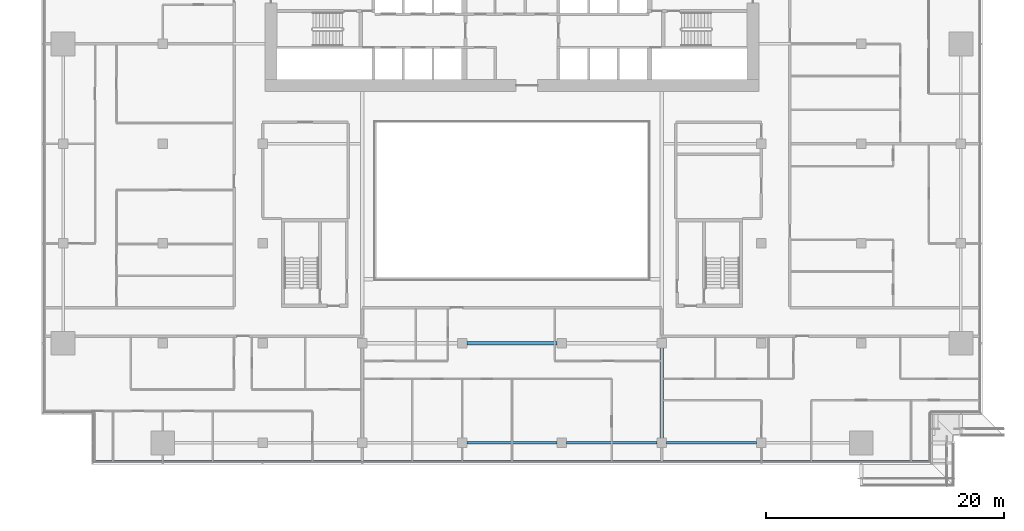
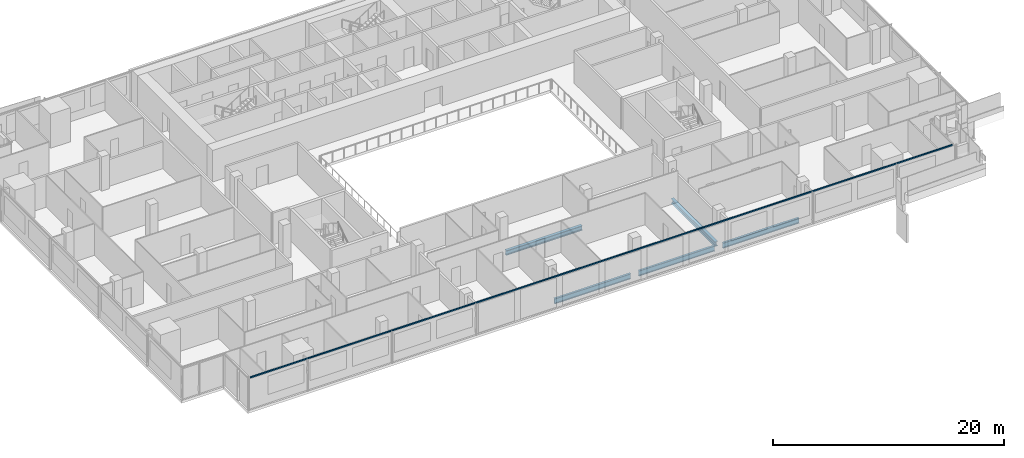
# One storey, part 7 of 30: 5 beams, 1 member, 1 element without a shape of its own.
"""IFC4 building model written with IfcOpenShell, lengths in metres."""

from ifc_helpers import new_model, si_unit, direction, frame, origin, origin_2d, place, context, subcontext, project, spatial, rectangle, i_section, extrude, material, material_profile, profile_set, type_object, element, aggregate, save


model = new_model("IFC4")

# Units and contexts
model_context = context("Model", 3, precision=1e-05, world=origin(), true_north=direction((0.0, 1.0)))
body_context = subcontext(model_context, "Body", "Model", "MODEL_VIEW")
ifc_project = project(units=[si_unit("LENGTHUNIT", "METRE"), si_unit("AREAUNIT", "SQUARE_METRE"), si_unit("VOLUMEUNIT", "CUBIC_METRE"), si_unit("PLANEANGLEUNIT", "RADIAN"), si_unit("MASSUNIT", "GRAM", prefix="KILO")], contexts=[model_context])

# Site, building, storey
site_placement = place(None, origin())
site = spatial("IfcSite", under=ifc_project, at=site_placement, CompositionType="ELEMENT")
building_placement = place(site_placement, origin())
building = spatial("IfcBuilding", under=site, at=building_placement, Name="Saffron Gate Tower", CompositionType="ELEMENT")
storey_placement = place(building_placement, frame((0.0, 0.0, 127.64990234375)))
storey = spatial("IfcBuildingStorey", under=building, at=storey_placement, Name="L30", CompositionType="ELEMENT", Elevation=127.64990234375)

# Beams
ifc_material_1 = material(Name="Structural steel S355", Category="steel")
ifc_material_profile_1 = material_profile(ifc_material_1, i_section(OverallWidth=0.2099609375, OverallDepth=0.550048828125, WebThickness=0.010986328125, FlangeThickness=0.01708984375, FilletRadius=0.02392578125, at=origin_2d()))
ifc_profile_set_1 = profile_set([ifc_material_profile_1], Name="Structural steel S355")
beam_type_1 = type_object("IfcBeamType", Name="B13 IPE 550", PredefinedType="SPANDREL", material=ifc_profile_set_1)
beam_1_placement = place(storey_placement, frame((83.800048828125, 31.800048828125, -0.554931640625), z_axis=(1.0, 0.0, 0.0), x_axis=(0.0, 1.0, 0.0)))
element("IfcBeam", 1, at=beam_1_placement, inside=storey, type_object=beam_type_1, Name="B13 SPANDREL BEAM", PredefinedType="SPANDREL", context=body_context, shape_type="SweptSolid", body=[
    extrude(i_section(OverallWidth=0.2099609375, OverallDepth=0.550048828125, WebThickness=0.010986328125, FlangeThickness=0.01708984375, FilletRadius=0.02392578125, at=origin_2d()), origin(), (0.0, 0.0, 1.0), 7.599853515625),
])
beam_2_placement = place(storey_placement, frame((92.199951171875, 31.800048828125, -0.554931640625), z_axis=(1.0, 0.0, 0.0), x_axis=(0.0, 1.0, 0.0)))
element("IfcBeam", 2, at=beam_2_placement, inside=storey, type_object=beam_type_1, Name="B13 SPANDREL BEAM", PredefinedType="SPANDREL", context=body_context, shape_type="SweptSolid", body=[
    extrude(i_section(OverallWidth=0.2099609375, OverallDepth=0.550048828125, WebThickness=0.010986328125, FlangeThickness=0.01708984375, FilletRadius=0.02392578125, at=origin_2d()), origin(), (0.0, 0.0, 1.0), 7.60009765625),
])
beam_3_placement = place(storey_placement, frame((100.60009765625, 31.800048828125, -0.554931640625), z_axis=(1.0, 0.0, 0.0), x_axis=(0.0, 1.0, 0.0)))
element("IfcBeam", 3, at=beam_3_placement, inside=storey, type_object=beam_type_1, Name="B13 SPANDREL BEAM", PredefinedType="SPANDREL", context=body_context, shape_type="SweptSolid", body=[
    extrude(i_section(OverallWidth=0.2099609375, OverallDepth=0.550048828125, WebThickness=0.010986328125, FlangeThickness=0.01708984375, FilletRadius=0.02392578125, at=origin_2d()), origin(), (0.0, 0.0, 1.0), 7.599853515625),
])
ifc_material_profile_2 = material_profile(ifc_material_1, i_section(OverallWidth=0.300048828125, OverallDepth=0.489990234375, WebThickness=0.011962890625, FlangeThickness=0.02294921875, FilletRadius=0.027099609375, at=origin_2d()))
ifc_profile_set_2 = profile_set([ifc_material_profile_2], Name="Structural steel S355")
beam_type_2 = type_object("IfcBeamType", Name="B8 HEA 500", PredefinedType="BEAM", material=ifc_profile_set_2)
beam_4_placement = place(storey_placement, frame((100.199951171875, 32.199951171875, -0.52490234375), z_axis=(0.0, 1.0, 0.0), x_axis=(-1.0, 0.0, 0.0)))
element("IfcBeam", 4, at=beam_4_placement, inside=storey, type_object=beam_type_2, Name="B8 FLOOR GIRDER", PredefinedType="BEAM", context=body_context, shape_type="SweptSolid", body=[
    extrude(i_section(OverallWidth=0.300048828125, OverallDepth=0.489990234375, WebThickness=0.011962890625, FlangeThickness=0.02294921875, FilletRadius=0.027099609375, at=origin_2d()), origin(), (0.0, 0.0, 1.0), 7.60009765625),
])
beam_5_placement = place(storey_placement, frame((83.800048828125, 40.199951171875, -0.52490234375), z_axis=(1.0, 0.0, 0.0), x_axis=(0.0, 1.0, 0.0)))
element("IfcBeam", 5, at=beam_5_placement, inside=storey, type_object=beam_type_2, Name="B8 FLOOR GIRDER", PredefinedType="BEAM", context=body_context, shape_type="SweptSolid", body=[
    extrude(i_section(OverallWidth=0.300048828125, OverallDepth=0.489990234375, WebThickness=0.011962890625, FlangeThickness=0.02294921875, FilletRadius=0.027099609375, at=origin_2d()), origin(), (0.0, 0.0, 1.0), 7.599853515625),
])

# Curtain wall, member
ifc_material_2 = material(Name="Aluminium, bronze anodised", Category="aluminium")
curtain_wall_type = type_object("IfcCurtainWallType", Name="CWS1 curtain wall front facade", PredefinedType="NOTDEFINED", material=ifc_material_2)
curtain_wall_placement = place(storey_placement, origin())
curtain_wall = element("IfcCurtainWall", 6, at=curtain_wall_placement, inside=storey, type_object=curtain_wall_type, Name="CWS1 run 1", PredefinedType="NOTDEFINED")
ifc_material_profile_3 = material_profile(ifc_material_2, rectangle(XDim=0.1201171875, YDim=0.1201171875, at=origin_2d()))
ifc_profile_set_3 = profile_set([ifc_material_profile_3], Name="Aluminium, bronze anodised")
member_type = type_object("IfcMemberType", Name="CWS1 head transom", PredefinedType="USERDEFINED", material=ifc_profile_set_3)
member_placement = place(storey_placement, frame((52.568115234375, 30.248046875, 3.260009765625), z_axis=(1.0, 0.0, 0.0), x_axis=(0.0, 1.0, 0.0)))
member = element("IfcMember", 7, at=member_placement, type_object=member_type, Name="CWS1 head transom", ObjectType="TRANSOM", PredefinedType="USERDEFINED", context=body_context, shape_type="SweptSolid", body=[
    extrude(rectangle(XDim=0.1201171875, YDim=0.1201171875, at=origin_2d()), origin(), (0.0, 0.0, 1.0), 70.06396484375),
])
aggregate(curtain_wall, [member])

save(model, "model.ifc")
